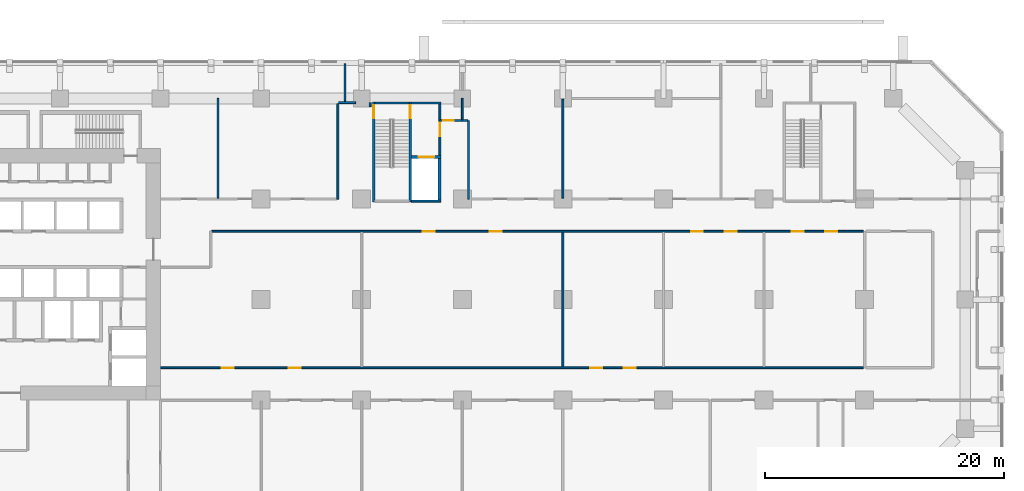
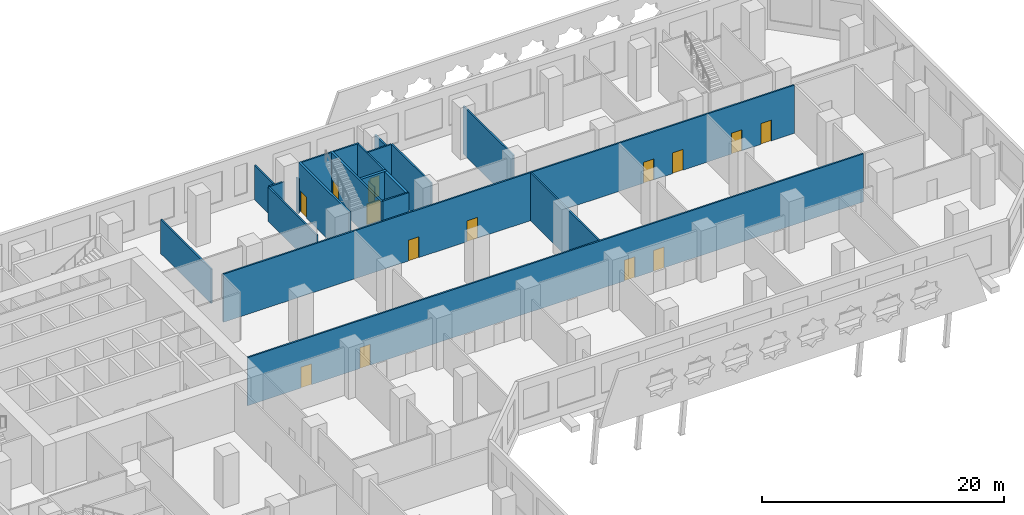
# One storey, part 10 of 21: 20 walls, 15 doors, 15 openings.
"""IFC4 building model written with IfcOpenShell, lengths in metres."""

from ifc_helpers import new_model, si_unit, direction, frame, frame_2d, origin, place, context, subcontext, project, spatial, rectangle, extrude, material, layer, layer_set, type_object, element, fill, save


model = new_model("IFC4")

# Units and contexts
model_context = context("Model", 3, precision=1e-05, world=origin(), true_north=direction((0.0, 1.0)))
body_context = subcontext(model_context, "Body", "Model", "MODEL_VIEW")
ifc_project = project(units=[si_unit("LENGTHUNIT", "METRE"), si_unit("AREAUNIT", "SQUARE_METRE"), si_unit("VOLUMEUNIT", "CUBIC_METRE"), si_unit("PLANEANGLEUNIT", "RADIAN"), si_unit("MASSUNIT", "GRAM", prefix="KILO")], contexts=[model_context])

# Site, building, storey
site_placement = place(None, origin())
site = spatial("IfcSite", under=ifc_project, at=site_placement, CompositionType="ELEMENT")
building_placement = place(site_placement, origin())
building = spatial("IfcBuilding", under=site, at=building_placement, Name="Kawkab Arch Medical Tower", CompositionType="ELEMENT")
storey_placement = place(building_placement, frame((0.0, 0.0, 23.800048828125)))
storey = spatial("IfcBuildingStorey", under=building, at=storey_placement, Name="L05", CompositionType="ELEMENT", Elevation=23.800048828125)

# Wall, opening, door
ifc_material_1 = material(Name="Gypsum board on steel studs", Category="steel")
ifc_layer_1 = layer(ifc_material_1, 0.14990234375)
ifc_layer_set_1 = layer_set([ifc_layer_1], Name="Gypsum board on steel studs")
wall_type_1 = type_object("IfcWallType", Name="Core room partition 150", PredefinedType="PARTITIONING", material=ifc_layer_set_1)
wall_1_placement = place(storey_placement, frame((48.52490234375, -4.77490234375, 0.0), z_axis=(0.0, 0.0, 1.0), x_axis=(0.0, 1.0, 0.0)))
wall_1 = element("IfcWall", 1, at=wall_1_placement, inside=storey, type_object=wall_type_1, Name="L05 core room partition", PredefinedType="PARTITIONING", context=body_context, shape_type="SweptSolid", body=[
    extrude(rectangle(XDim=4.324951171875, YDim=0.14990234375, at=frame_2d((2.16259765625, 0.0))), origin(), (0.0, 0.0, 1.0), 4.849853515625),
])
opening_1_placement = place(wall_1_placement, frame((1.625, 0.0, 0.0)))
opening_1 = element("IfcOpeningElement", 2, at=opening_1_placement, cuts=wall_1, Name="Opening FD", PredefinedType="OPENING", context=body_context, shape_type="SweptSolid", body=[
    extrude(rectangle(XDim=1.10009765625, YDim=2.10009765625, at=frame_2d((0.550048828125, 1.050048828125))), frame((0.0, 0.0849609375, 0.0), z_axis=(0.0, -1.0, 0.0), x_axis=(1.0, 0.0, 0.0)), (0.0, 0.0, 1.0), 0.169921875),
])
ifc_material_2 = material(Name="Hollow metal fire door leaf")
door_type_1 = type_object("IfcDoorType", Name="Firefighting lobby door 1100", OperationType="SINGLE_SWING_LEFT", PredefinedType="DOOR", material=ifc_material_2)
door_1_placement = place(opening_1_placement, origin())
door_1 = element("IfcDoor", 3, at=door_1_placement, inside=storey, type_object=door_type_1, Name="L05 Service lift lobby door SV1", OperationType="SINGLE_SWING_LEFT", OverallHeight=2.10009765625, OverallWidth=1.10009765625, PredefinedType="DOOR", context=body_context, shape_type="SweptSolid", body=[
    extrude(rectangle(XDim=1.10009765625, YDim=2.10009765625, at=frame_2d((0.550048828125, 1.050048828125))), frame((0.0, 0.02490234375, 0.0), z_axis=(0.0, -1.0, 0.0), x_axis=(1.0, 0.0, 0.0)), (0.0, 0.0, 1.0), 0.050048828125),
])
fill(opening_1, door_1)

ifc_material_3 = material(Name="Concrete C60/75", Category="concrete")
ifc_layer_2 = layer(ifc_material_3, 0.25)
ifc_layer_set_2 = layer_set([ifc_layer_2], Name="Concrete C60/75")
wall_type_2 = type_object("IfcWallType", Name="Core shear wall 250 C60/75", PredefinedType="SHEAR", material=ifc_layer_set_2)
wall_2_placement = place(storey_placement, frame((46.14990234375, -4.89990234375, 0.0), z_axis=(0.0, 0.0, 1.0), x_axis=(1.0, 0.0, 0.0)))
wall_2 = element("IfcWall", 4, at=wall_2_placement, inside=storey, type_object=wall_type_2, Name="L05 core shear wall", PredefinedType="SHEAR", context=body_context, shape_type="SweptSolid", body=[
    extrude(rectangle(XDim=2.4501953125, YDim=0.25, at=frame_2d((1.22509765625, 0.0))), origin(), (0.0, 0.0, 1.0), 4.849853515625),
])
opening_2_placement = place(wall_2_placement, frame((0.60009765625, 0.0, 0.0)))
opening_2 = element("IfcOpeningElement", 5, at=opening_2_placement, cuts=wall_2, Name="Opening LD2", PredefinedType="OPENING", context=body_context, shape_type="SweptSolid", body=[
    extrude(rectangle(XDim=1.300048828125, YDim=2.10009765625, at=frame_2d((0.64990234375, 1.050048828125))), frame((0.0, 0.135009765625, 0.0), z_axis=(0.0, -1.0, 0.0), x_axis=(1.0, 0.0, 0.0)), (0.0, 0.0, 1.0), 0.27001953125),
])
ifc_material_4 = material(Name="Stainless steel lift door leaf", Category="steel")
door_type_2 = type_object("IfcDoorType", Name="Lift landing door 1300", OperationType="DOUBLE_DOOR_SLIDING", PredefinedType="DOOR", material=ifc_material_4)
door_2_placement = place(opening_2_placement, origin())
door_2 = element("IfcDoor", 6, at=door_2_placement, inside=storey, type_object=door_type_2, Name="L05 Lift landing door SV1", OperationType="DOUBLE_DOOR_SLIDING", OverallHeight=2.10009765625, OverallWidth=1.300048828125, PredefinedType="DOOR", context=body_context, shape_type="SweptSolid", body=[
    extrude(rectangle(XDim=1.300048828125, YDim=2.10009765625, at=frame_2d((0.64990234375, 1.050048828125))), frame((0.0, 0.02490234375, 0.0), z_axis=(0.0, -1.0, 0.0), x_axis=(1.0, 0.0, 0.0)), (0.0, 0.0, 1.0), 0.050048828125),
])
fill(opening_2, door_2)

# Wall
wall_3_placement = place(storey_placement, frame((48.47509765625, -8.5, 0.0), z_axis=(0.0, 0.0, 1.0), x_axis=(0.0, 1.0, 0.0)))
element("IfcWall", 7, at=wall_3_placement, inside=storey, type_object=wall_type_2, Name="L05 core shear wall", PredefinedType="SHEAR", context=body_context, shape_type="SweptSolid", body=[
    extrude(rectangle(XDim=3.47509765625, YDim=0.25, at=frame_2d((1.737548828125, 0.0))), origin(), (0.0, 0.0, 1.0), 4.849853515625),
])

# Wall, openings, doors
ifc_material_5 = material(Name="Gypsum board partition on steel studs, mineral wool", Category="steel")
ifc_layer_3 = layer(ifc_material_5, 0.14990234375)
ifc_layer_set_3 = layer_set([ifc_layer_3], Name="Gypsum board partition on steel studs, mineral wool")
wall_type_3 = type_object("IfcWallType", Name="Partition 150", PredefinedType="PARTITIONING", material=ifc_layer_set_3)
wall_4_placement = place(storey_placement, frame((25.199951171875, -22.5, 0.0), z_axis=(0.0, 0.0, 1.0), x_axis=(1.0, 0.0, 0.0)))
wall_4 = element("IfcWall", 8, at=wall_4_placement, inside=storey, type_object=wall_type_3, Name="Partition 150 w023", PredefinedType="PARTITIONING", context=body_context, shape_type="SweptSolid", body=[
    extrude(rectangle(XDim=58.699951171875, YDim=0.14990234375, at=frame_2d((29.35009765625, 0.0))), origin(), (0.0, 0.0, 1.0), 4.849853515625),
])
opening_3_placement = place(wall_4_placement, frame((5.10009765625, 0.0, 0.0)))
opening_3 = element("IfcOpeningElement", 9, at=opening_3_placement, cuts=wall_4, Name="Opening P05-013", PredefinedType="OPENING", context=body_context, shape_type="SweptSolid", body=[
    extrude(rectangle(XDim=1.0, YDim=2.10009765625, at=frame_2d((0.5, 1.050048828125))), frame((0.0, 0.0849609375, 0.0), z_axis=(0.0, -1.0, 0.0), x_axis=(1.0, 0.0, 0.0)), (0.0, 0.0, 1.0), 0.169921875),
])
opening_4_placement = place(wall_4_placement, frame((10.699951171875, 0.0, 0.0)))
opening_4 = element("IfcOpeningElement", 10, at=opening_4_placement, cuts=wall_4, Name="Opening P05-014", PredefinedType="OPENING", context=body_context, shape_type="SweptSolid", body=[
    extrude(rectangle(XDim=1.0, YDim=2.10009765625, at=frame_2d((0.5, 1.050048828125))), frame((0.0, 0.0849609375, 0.0), z_axis=(0.0, -1.0, 0.0), x_axis=(1.0, 0.0, 0.0)), (0.0, 0.0, 1.0), 0.169921875),
])
opening_5_placement = place(wall_4_placement, frame((35.89990234375, 0.0, 0.0)))
opening_5 = element("IfcOpeningElement", 11, at=opening_5_placement, cuts=wall_4, Name="Opening P05-017", PredefinedType="OPENING", context=body_context, shape_type="SweptSolid", body=[
    extrude(rectangle(XDim=1.0, YDim=2.10009765625, at=frame_2d((0.5, 1.050048828125))), frame((0.0, 0.0849609375, 0.0), z_axis=(0.0, -1.0, 0.0), x_axis=(1.0, 0.0, 0.0)), (0.0, 0.0, 1.0), 0.169921875),
])
opening_6_placement = place(wall_4_placement, frame((38.699951171875, 0.0, 0.0)))
opening_6 = element("IfcOpeningElement", 12, at=opening_6_placement, cuts=wall_4, Name="Opening P05-018", PredefinedType="OPENING", context=body_context, shape_type="SweptSolid", body=[
    extrude(rectangle(XDim=1.0, YDim=2.10009765625, at=frame_2d((0.5, 1.050048828125))), frame((0.0, 0.0849609375, 0.0), z_axis=(0.0, -1.0, 0.0), x_axis=(1.0, 0.0, 0.0)), (0.0, 0.0, 1.0), 0.169921875),
])
ifc_material_6 = material(Name="Hollow metal door leaf")
door_type_3 = type_object("IfcDoorType", Name="Single door 1000x2100 FD30S", OperationType="NOTDEFINED", PredefinedType="DOOR", material=ifc_material_6)
door_3_placement = place(opening_3_placement, origin())
door_3 = element("IfcDoor", 13, at=door_3_placement, inside=storey, type_object=door_type_3, Name="Door P05-013", OperationType="SINGLE_SWING_LEFT", OverallHeight=2.10009765625, OverallWidth=1.0, PredefinedType="DOOR", context=body_context, shape_type="SweptSolid", body=[
    extrude(rectangle(XDim=1.0, YDim=2.10009765625, at=frame_2d((0.5, 1.050048828125))), frame((0.0, 0.02490234375, 0.0), z_axis=(0.0, -1.0, 0.0), x_axis=(1.0, 0.0, 0.0)), (0.0, 0.0, 1.0), 0.050048828125),
])
fill(opening_3, door_3)
door_4_placement = place(opening_4_placement, origin())
door_4 = element("IfcDoor", 14, at=door_4_placement, inside=storey, type_object=door_type_3, Name="Door P05-014", OperationType="SINGLE_SWING_LEFT", OverallHeight=2.10009765625, OverallWidth=1.0, PredefinedType="DOOR", context=body_context, shape_type="SweptSolid", body=[
    extrude(rectangle(XDim=1.0, YDim=2.10009765625, at=frame_2d((0.5, 1.050048828125))), frame((0.0, 0.02490234375, 0.0), z_axis=(0.0, -1.0, 0.0), x_axis=(1.0, 0.0, 0.0)), (0.0, 0.0, 1.0), 0.050048828125),
])
fill(opening_4, door_4)
door_5_placement = place(opening_5_placement, origin())
door_5 = element("IfcDoor", 15, at=door_5_placement, inside=storey, type_object=door_type_3, Name="Door P05-017", OperationType="SINGLE_SWING_RIGHT", OverallHeight=2.10009765625, OverallWidth=1.0, PredefinedType="DOOR", context=body_context, shape_type="SweptSolid", body=[
    extrude(rectangle(XDim=1.0, YDim=2.10009765625, at=frame_2d((0.5, 1.050048828125))), frame((0.0, 0.02490234375, 0.0), z_axis=(0.0, -1.0, 0.0), x_axis=(1.0, 0.0, 0.0)), (0.0, 0.0, 1.0), 0.050048828125),
])
fill(opening_5, door_5)
door_6_placement = place(opening_6_placement, origin())
door_6 = element("IfcDoor", 16, at=door_6_placement, inside=storey, type_object=door_type_3, Name="Door P05-018", OperationType="SINGLE_SWING_RIGHT", OverallHeight=2.10009765625, OverallWidth=1.0, PredefinedType="DOOR", context=body_context, shape_type="SweptSolid", body=[
    extrude(rectangle(XDim=1.0, YDim=2.10009765625, at=frame_2d((0.5, 1.050048828125))), frame((0.0, 0.02490234375, 0.0), z_axis=(0.0, -1.0, 0.0), x_axis=(1.0, 0.0, 0.0)), (0.0, 0.0, 1.0), 0.050048828125),
])
fill(opening_6, door_6)

wall_5_placement = place(storey_placement, frame((29.47509765625, -11.10009765625, 0.0), z_axis=(0.0, 0.0, 1.0), x_axis=(1.0, 0.0, 0.0)))
wall_5 = element("IfcWall", 17, at=wall_5_placement, inside=storey, type_object=wall_type_3, Name="Partition 150 w026", PredefinedType="PARTITIONING", context=body_context, shape_type="SweptSolid", body=[
    extrude(rectangle(XDim=54.4248046875, YDim=0.14990234375, at=frame_2d((27.21240234375, 0.0))), origin(), (0.0, 0.0, 1.0), 4.849853515625),
])
opening_7_placement = place(wall_5_placement, frame((23.22509765625, 0.0, 0.0)))
opening_7 = element("IfcOpeningElement", 18, at=opening_7_placement, cuts=wall_5, Name="Opening P05-015", PredefinedType="OPENING", context=body_context, shape_type="SweptSolid", body=[
    extrude(rectangle(XDim=1.0, YDim=2.10009765625, at=frame_2d((0.5, 1.050048828125))), frame((0.0, 0.0849609375, 0.0), z_axis=(0.0, -1.0, 0.0), x_axis=(1.0, 0.0, 0.0)), (0.0, 0.0, 1.0), 0.169921875),
])
opening_8_placement = place(wall_5_placement, frame((17.625, 0.0, 0.0)))
opening_8 = element("IfcOpeningElement", 19, at=opening_8_placement, cuts=wall_5, Name="Opening P05-016", PredefinedType="OPENING", context=body_context, shape_type="SweptSolid", body=[
    extrude(rectangle(XDim=1.0, YDim=2.10009765625, at=frame_2d((0.5, 1.050048828125))), frame((0.0, 0.0849609375, 0.0), z_axis=(0.0, -1.0, 0.0), x_axis=(1.0, 0.0, 0.0)), (0.0, 0.0, 1.0), 0.169921875),
])
opening_9_placement = place(wall_5_placement, frame((42.824951171875, 0.0, 0.0)))
opening_9 = element("IfcOpeningElement", 20, at=opening_9_placement, cuts=wall_5, Name="Opening P05-019", PredefinedType="OPENING", context=body_context, shape_type="SweptSolid", body=[
    extrude(rectangle(XDim=1.0, YDim=2.10009765625, at=frame_2d((0.5, 1.050048828125))), frame((0.0, 0.0849609375, 0.0), z_axis=(0.0, -1.0, 0.0), x_axis=(1.0, 0.0, 0.0)), (0.0, 0.0, 1.0), 0.169921875),
])
opening_10_placement = place(wall_5_placement, frame((40.02490234375, 0.0, 0.0)))
opening_10 = element("IfcOpeningElement", 21, at=opening_10_placement, cuts=wall_5, Name="Opening P05-020", PredefinedType="OPENING", context=body_context, shape_type="SweptSolid", body=[
    extrude(rectangle(XDim=1.0, YDim=2.10009765625, at=frame_2d((0.5, 1.050048828125))), frame((0.0, 0.0849609375, 0.0), z_axis=(0.0, -1.0, 0.0), x_axis=(1.0, 0.0, 0.0)), (0.0, 0.0, 1.0), 0.169921875),
])
opening_11_placement = place(wall_5_placement, frame((51.22509765625, 0.0, 0.0)))
opening_11 = element("IfcOpeningElement", 22, at=opening_11_placement, cuts=wall_5, Name="Opening P05-021", PredefinedType="OPENING", context=body_context, shape_type="SweptSolid", body=[
    extrude(rectangle(XDim=1.0, YDim=2.10009765625, at=frame_2d((0.5, 1.050048828125))), frame((0.0, 0.0849609375, 0.0), z_axis=(0.0, -1.0, 0.0), x_axis=(1.0, 0.0, 0.0)), (0.0, 0.0, 1.0), 0.169921875),
])
opening_12_placement = place(wall_5_placement, frame((48.425048828125, 0.0, 0.0)))
opening_12 = element("IfcOpeningElement", 23, at=opening_12_placement, cuts=wall_5, Name="Opening P05-022", PredefinedType="OPENING", context=body_context, shape_type="SweptSolid", body=[
    extrude(rectangle(XDim=1.0, YDim=2.10009765625, at=frame_2d((0.5, 1.050048828125))), frame((0.0, 0.0849609375, 0.0), z_axis=(0.0, -1.0, 0.0), x_axis=(1.0, 0.0, 0.0)), (0.0, 0.0, 1.0), 0.169921875),
])
door_7_placement = place(opening_7_placement, origin())
door_7 = element("IfcDoor", 24, at=door_7_placement, inside=storey, type_object=door_type_3, Name="Door P05-015", OperationType="SINGLE_SWING_RIGHT", OverallHeight=2.10009765625, OverallWidth=1.0, PredefinedType="DOOR", context=body_context, shape_type="SweptSolid", body=[
    extrude(rectangle(XDim=1.0, YDim=2.10009765625, at=frame_2d((0.5, 1.050048828125))), frame((0.0, 0.02490234375, 0.0), z_axis=(0.0, -1.0, 0.0), x_axis=(1.0, 0.0, 0.0)), (0.0, 0.0, 1.0), 0.050048828125),
])
fill(opening_7, door_7)
door_8_placement = place(opening_8_placement, origin())
door_8 = element("IfcDoor", 25, at=door_8_placement, inside=storey, type_object=door_type_3, Name="Door P05-016", OperationType="SINGLE_SWING_RIGHT", OverallHeight=2.10009765625, OverallWidth=1.0, PredefinedType="DOOR", context=body_context, shape_type="SweptSolid", body=[
    extrude(rectangle(XDim=1.0, YDim=2.10009765625, at=frame_2d((0.5, 1.050048828125))), frame((0.0, 0.02490234375, 0.0), z_axis=(0.0, -1.0, 0.0), x_axis=(1.0, 0.0, 0.0)), (0.0, 0.0, 1.0), 0.050048828125),
])
fill(opening_8, door_8)
door_9_placement = place(opening_9_placement, origin())
door_9 = element("IfcDoor", 26, at=door_9_placement, inside=storey, type_object=door_type_3, Name="Door P05-019", OperationType="SINGLE_SWING_LEFT", OverallHeight=2.10009765625, OverallWidth=1.0, PredefinedType="DOOR", context=body_context, shape_type="SweptSolid", body=[
    extrude(rectangle(XDim=1.0, YDim=2.10009765625, at=frame_2d((0.5, 1.050048828125))), frame((0.0, 0.02490234375, 0.0), z_axis=(0.0, -1.0, 0.0), x_axis=(1.0, 0.0, 0.0)), (0.0, 0.0, 1.0), 0.050048828125),
])
fill(opening_9, door_9)
door_10_placement = place(opening_10_placement, origin())
door_10 = element("IfcDoor", 27, at=door_10_placement, inside=storey, type_object=door_type_3, Name="Door P05-020", OperationType="SINGLE_SWING_LEFT", OverallHeight=2.10009765625, OverallWidth=1.0, PredefinedType="DOOR", context=body_context, shape_type="SweptSolid", body=[
    extrude(rectangle(XDim=1.0, YDim=2.10009765625, at=frame_2d((0.5, 1.050048828125))), frame((0.0, 0.02490234375, 0.0), z_axis=(0.0, -1.0, 0.0), x_axis=(1.0, 0.0, 0.0)), (0.0, 0.0, 1.0), 0.050048828125),
])
fill(opening_10, door_10)
door_11_placement = place(opening_11_placement, origin())
door_11 = element("IfcDoor", 28, at=door_11_placement, inside=storey, type_object=door_type_3, Name="Door P05-021", OperationType="SINGLE_SWING_LEFT", OverallHeight=2.10009765625, OverallWidth=1.0, PredefinedType="DOOR", context=body_context, shape_type="SweptSolid", body=[
    extrude(rectangle(XDim=1.0, YDim=2.10009765625, at=frame_2d((0.5, 1.050048828125))), frame((0.0, 0.02490234375, 0.0), z_axis=(0.0, -1.0, 0.0), x_axis=(1.0, 0.0, 0.0)), (0.0, 0.0, 1.0), 0.050048828125),
])
fill(opening_11, door_11)
door_12_placement = place(opening_12_placement, origin())
door_12 = element("IfcDoor", 29, at=door_12_placement, inside=storey, type_object=door_type_3, Name="Door P05-022", OperationType="SINGLE_SWING_LEFT", OverallHeight=2.10009765625, OverallWidth=1.0, PredefinedType="DOOR", context=body_context, shape_type="SweptSolid", body=[
    extrude(rectangle(XDim=1.0, YDim=2.10009765625, at=frame_2d((0.5, 1.050048828125))), frame((0.0, 0.02490234375, 0.0), z_axis=(0.0, -1.0, 0.0), x_axis=(1.0, 0.0, 0.0)), (0.0, 0.0, 1.0), 0.050048828125),
])
fill(opening_12, door_12)

# Wall, opening, door
wall_6_placement = place(storey_placement, frame((48.550048828125, -1.85009765625, 0.0), z_axis=(0.0, 0.0, 1.0), x_axis=(1.0, 0.0, 0.0)))
wall_6 = element("IfcWall", 30, at=wall_6_placement, inside=storey, type_object=wall_type_3, Name="Partition 150 w031", PredefinedType="PARTITIONING", context=body_context, shape_type="SweptSolid", body=[
    extrude(rectangle(XDim=2.296875, YDim=0.14990234375, at=frame_2d((1.1484375, 0.0))), origin(), (0.0, 0.0, 1.0), 4.849853515625),
])
opening_13_placement = place(wall_6_placement, frame((0.25, 0.0, 0.0)))
opening_13 = element("IfcOpeningElement", 31, at=opening_13_placement, cuts=wall_6, Name="Opening P05-002", PredefinedType="OPENING", context=body_context, shape_type="SweptSolid", body=[
    extrude(rectangle(XDim=0.89990234375, YDim=2.10009765625, at=frame_2d((0.449951171875, 1.050048828125))), frame((0.0, 0.0849609375, 0.0), z_axis=(0.0, -1.0, 0.0), x_axis=(1.0, 0.0, 0.0)), (0.0, 0.0, 1.0), 0.169921875),
])
ifc_material_7 = material(Name="Hollow metal door leaf")
door_type_4 = type_object("IfcDoorType", Name="Single door 900x2100 FD30S", OperationType="NOTDEFINED", PredefinedType="DOOR", material=ifc_material_7)
door_13_placement = place(opening_13_placement, origin())
door_13 = element("IfcDoor", 32, at=door_13_placement, inside=storey, type_object=door_type_4, Name="Door P05-002", OperationType="SINGLE_SWING_LEFT", OverallHeight=2.10009765625, OverallWidth=0.89990234375, PredefinedType="DOOR", context=body_context, shape_type="SweptSolid", body=[
    extrude(rectangle(XDim=0.89990234375, YDim=2.10009765625, at=frame_2d((0.449951171875, 1.050048828125))), frame((0.0, 0.02490234375, 0.0), z_axis=(0.0, -1.0, 0.0), x_axis=(1.0, 0.0, 0.0)), (0.0, 0.0, 1.0), 0.050048828125),
])
fill(opening_13, door_13)

# Walls
wall_7_placement = place(storey_placement, frame((40.075927734375, -0.35009765625, 0.0), z_axis=(0.0, 0.0, 1.0), x_axis=(1.0, 0.0, 0.0)))
element("IfcWall", 33, at=wall_7_placement, inside=storey, type_object=wall_type_3, Name="Partition 150 w032", PredefinedType="PARTITIONING", context=body_context, shape_type="SweptSolid", body=[
    extrude(rectangle(XDim=1.412109375, YDim=0.14990234375, at=frame_2d((0.7060546875, 0.0))), origin(), (0.0, 0.0, 1.0), 3.449951171875),
])
wall_8_placement = place(storey_placement, frame((30.0, -8.324951171875, 0.0), z_axis=(0.0, 0.0, 1.0), x_axis=(0.0, 1.0, 0.0)))
element("IfcWall", 34, at=wall_8_placement, inside=storey, type_object=wall_type_3, Name="Partition 150 w048", PredefinedType="PARTITIONING", context=body_context, shape_type="SweptSolid", body=[
    extrude(rectangle(XDim=8.322998046875, YDim=0.14990234375, at=frame_2d((4.16162109375, 0.0))), origin(), (0.0, 0.0, 1.0), 3.449951171875),
])
wall_9_placement = place(storey_placement, frame((40.007080078125, -8.39990234375, 0.0), z_axis=(0.0, 0.0, 1.0), x_axis=(0.0, 1.0, 0.0)))
element("IfcWall", 35, at=wall_9_placement, inside=storey, type_object=wall_type_3, Name="Partition 150 w050", PredefinedType="PARTITIONING", context=body_context, shape_type="SweptSolid", body=[
    extrude(rectangle(XDim=7.974853515625, YDim=0.14990234375, at=frame_2d((3.9873046875, 0.0))), origin(), (0.0, 0.0, 1.0), 3.449951171875),
])
wall_10_placement = place(storey_placement, frame((40.60009765625, -0.215087890625, 0.0), z_axis=(0.0, 0.0, 1.0), x_axis=(0.0, 1.0, 0.0)))
element("IfcWall", 36, at=wall_10_placement, inside=storey, type_object=wall_type_3, Name="Partition 150 w051", PredefinedType="PARTITIONING", context=body_context, shape_type="SweptSolid", body=[
    extrude(rectangle(XDim=3.094970703125, YDim=0.14990234375, at=frame_2d((1.54736328125, 0.0))), origin(), (0.0, 0.0, 1.0), 3.449951171875),
])
wall_11_placement = place(storey_placement, frame((42.699951171875, -0.679931640625, 0.0), z_axis=(0.0, 0.0, 1.0), x_axis=(0.0, 1.0, 0.0)))
element("IfcWall", 37, at=wall_11_placement, inside=storey, type_object=wall_type_3, Name="Partition 150 w054", PredefinedType="PARTITIONING", context=body_context, shape_type="SweptSolid", body=[
    extrude(rectangle(XDim=0.326904296875, YDim=0.14990234375, at=frame_2d((0.16357421875, 0.0))), origin(), (0.0, 0.0, 1.0), 3.449951171875),
])
wall_12_placement = place(storey_placement, frame((50.39990234375, -1.77490234375, 0.0), z_axis=(0.0, 0.0, 1.0), x_axis=(0.0, 1.0, 0.0)))
element("IfcWall", 38, at=wall_12_placement, inside=storey, type_object=wall_type_3, Name="Partition 150 w056", PredefinedType="PARTITIONING", context=body_context, shape_type="SweptSolid", body=[
    extrude(rectangle(XDim=1.77197265625, YDim=0.14990234375, at=frame_2d((0.885986328125, 0.0))), origin(), (0.0, 0.0, 1.0), 4.849853515625),
])
wall_13_placement = place(storey_placement, frame((50.925048828125, -8.39990234375, 0.0), z_axis=(0.0, 0.0, 1.0), x_axis=(0.0, 1.0, 0.0)))
element("IfcWall", 39, at=wall_13_placement, inside=storey, type_object=wall_type_3, Name="Partition 150 w058", PredefinedType="PARTITIONING", context=body_context, shape_type="SweptSolid", body=[
    extrude(rectangle(XDim=6.546875, YDim=0.14990234375, at=frame_2d((3.2734375, 0.0))), origin(), (0.0, 0.0, 1.0), 4.849853515625),
])
wall_14_placement = place(storey_placement, frame((58.800048828125, -22.425048828125, 0.0), z_axis=(0.0, 0.0, 1.0), x_axis=(0.0, 1.0, 0.0)))
element("IfcWall", 40, at=wall_14_placement, inside=storey, type_object=wall_type_3, Name="Partition 150 w059", PredefinedType="PARTITIONING", context=body_context, shape_type="SweptSolid", body=[
    extrude(rectangle(XDim=11.25, YDim=0.14990234375, at=frame_2d((5.625, 0.0))), origin(), (0.0, 0.0, 1.0), 4.849853515625),
])
wall_15_placement = place(storey_placement, frame((58.800048828125, -8.324951171875, 0.0), z_axis=(0.0, 0.0, 1.0), x_axis=(0.0, 1.0, 0.0)))
element("IfcWall", 41, at=wall_15_placement, inside=storey, type_object=wall_type_3, Name="Partition 150 w060", PredefinedType="PARTITIONING", context=body_context, shape_type="SweptSolid", body=[
    extrude(rectangle(XDim=8.25, YDim=0.14990234375, at=frame_2d((4.125, 0.0))), origin(), (0.0, 0.0, 1.0), 4.849853515625),
])
ifc_material_8 = material(Name="Concrete C50/60", Category="concrete")
ifc_layer_4 = layer(ifc_material_8, 0.14990234375)
ifc_layer_set_4 = layer_set([ifc_layer_4], Name="Concrete C50/60")
wall_type_4 = type_object("IfcWallType", Name="Stair enclosure wall 150 C50/60", PredefinedType="SHEAR", material=ifc_layer_set_4)
wall_16_placement = place(storey_placement, frame((43.10009765625, -0.375, 0.0), z_axis=(0.0, 0.0, 1.0), x_axis=(1.0, 0.0, 0.0)))
element("IfcWall", 42, at=wall_16_placement, inside=storey, type_object=wall_type_4, Name="L05 stair enclosure wall", PredefinedType="SHEAR", context=body_context, shape_type="SweptSolid", body=[
    extrude(rectangle(XDim=2.849853515625, YDim=0.14990234375, at=frame_2d((1.4248046875, 0.0))), origin(), (0.0, 0.0, 1.0), 4.849853515625),
])
for number, where, z_axis, x_axis, name in (
    (43, (46.14990234375, -0.375, 0.0), (0.0, 0.0, 1.0), (1.0, 0.0, 0.0), "L05 stair enclosure wall"),
    (44, (46.14990234375, -8.574951171875, 0.0), (0.0, 0.0, 1.0), (1.0, 0.0, 0.0), "L05 stair enclosure wall"),
):
    element("IfcWall", number, at=place(storey_placement, frame(where, z_axis=z_axis, x_axis=x_axis)), inside=storey, type_object=wall_type_4, Name=name, PredefinedType="SHEAR", context=body_context, shape_type="SweptSolid", body=[
        extrude(rectangle(XDim=2.4501953125, YDim=0.14990234375, at=frame_2d((1.22509765625, 0.0))), origin(), (0.0, 0.0, 1.0), 4.849853515625),
    ])

# Wall, opening, door
ifc_material_9 = material(Name="Concrete C50/60", Category="concrete")
ifc_layer_5 = layer(ifc_material_9, 0.199951171875)
ifc_layer_set_5 = layer_set([ifc_layer_5], Name="Concrete C50/60")
wall_type_5 = type_object("IfcWallType", Name="Stair enclosure wall 200 C50/60", PredefinedType="SHEAR", material=ifc_layer_set_5)
wall_17_placement = place(storey_placement, frame((43.0, -8.64990234375, 0.0), z_axis=(0.0, 0.0, 1.0), x_axis=(0.0, 1.0, 0.0)))
wall_17 = element("IfcWall", 45, at=wall_17_placement, inside=storey, type_object=wall_type_5, Name="L05 stair enclosure wall", PredefinedType="SHEAR", context=body_context, shape_type="SweptSolid", body=[
    extrude(rectangle(XDim=8.349853515625, YDim=0.199951171875, at=frame_2d((4.1748046875, 0.0))), origin(), (0.0, 0.0, 1.0), 4.849853515625),
])
opening_14_placement = place(wall_17_placement, frame((7.0, 0.0, 0.0)))
opening_14 = element("IfcOpeningElement", 46, at=opening_14_placement, cuts=wall_17, Name="Opening SD", PredefinedType="OPENING", context=body_context, shape_type="SweptSolid", body=[
    extrude(rectangle(XDim=1.10009765625, YDim=2.10009765625, at=frame_2d((0.550048828125, 1.050048828125))), frame((0.0, 0.10986328125, 0.0), z_axis=(0.0, -1.0, 0.0), x_axis=(1.0, 0.0, 0.0)), (0.0, 0.0, 1.0), 0.219970703125),
])
ifc_material_10 = material(Name="Hollow metal fire door leaf")
door_type_5 = type_object("IfcDoorType", Name="Exit stair door 1100", OperationType="SINGLE_SWING_LEFT", PredefinedType="DOOR", material=ifc_material_10)
door_14_placement = place(opening_14_placement, frame((1.10009765625, 0.0, 0.0), z_axis=(0.0, 0.0, 1.0), x_axis=(-1.0, 0.0, 0.0)))
door_14 = element("IfcDoor", 47, at=door_14_placement, inside=storey, type_object=door_type_5, Name="L05 Exit stair ST5 door", OperationType="SINGLE_SWING_LEFT", OverallHeight=2.10009765625, OverallWidth=1.10009765625, PredefinedType="DOOR", context=body_context, shape_type="SweptSolid", body=[
    extrude(rectangle(XDim=1.10009765625, YDim=2.10009765625, at=frame_2d((0.550048828125, 1.050048828125))), frame((0.0, 0.02490234375, 0.0), z_axis=(0.0, -1.0, 0.0), x_axis=(1.0, 0.0, 0.0)), (0.0, 0.0, 1.0), 0.050048828125),
])
fill(opening_14, door_14)

wall_18_placement = place(storey_placement, frame((46.050048828125, -8.64990234375, 0.0), z_axis=(0.0, 0.0, 1.0), x_axis=(0.0, 1.0, 0.0)))
wall_18 = element("IfcWall", 48, at=wall_18_placement, inside=storey, type_object=wall_type_5, Name="L05 stair enclosure wall", PredefinedType="SHEAR", context=body_context, shape_type="SweptSolid", body=[
    extrude(rectangle(XDim=8.349853515625, YDim=0.199951171875, at=frame_2d((4.1748046875, 0.0))), origin(), (0.0, 0.0, 1.0), 4.849853515625),
])
opening_15_placement = place(wall_18_placement, frame((7.0, 0.0, 0.0)))
opening_15 = element("IfcOpeningElement", 49, at=opening_15_placement, cuts=wall_18, Name="Opening SD", PredefinedType="OPENING", context=body_context, shape_type="SweptSolid", body=[
    extrude(rectangle(XDim=1.10009765625, YDim=2.10009765625, at=frame_2d((0.550048828125, 1.050048828125))), frame((0.0, 0.10986328125, 0.0), z_axis=(0.0, -1.0, 0.0), x_axis=(1.0, 0.0, 0.0)), (0.0, 0.0, 1.0), 0.219970703125),
])
door_15_placement = place(opening_15_placement, origin())
door_15 = element("IfcDoor", 50, at=door_15_placement, inside=storey, type_object=door_type_5, Name="L05 Exit stair ST5 lobby door", OperationType="SINGLE_SWING_LEFT", OverallHeight=2.10009765625, OverallWidth=1.10009765625, PredefinedType="DOOR", context=body_context, shape_type="SweptSolid", body=[
    extrude(rectangle(XDim=1.10009765625, YDim=2.10009765625, at=frame_2d((0.550048828125, 1.050048828125))), frame((0.0, 0.02490234375, 0.0), z_axis=(0.0, -1.0, 0.0), x_axis=(1.0, 0.0, 0.0)), (0.0, 0.0, 1.0), 0.050048828125),
])
fill(opening_15, door_15)

save(model, "model.ifc")
